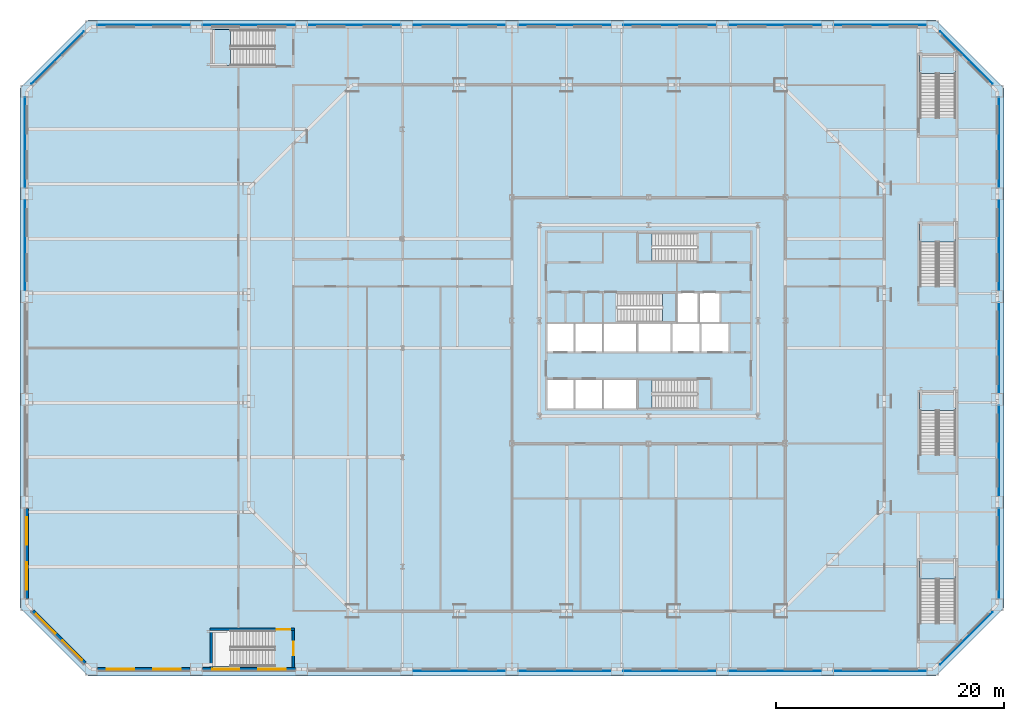
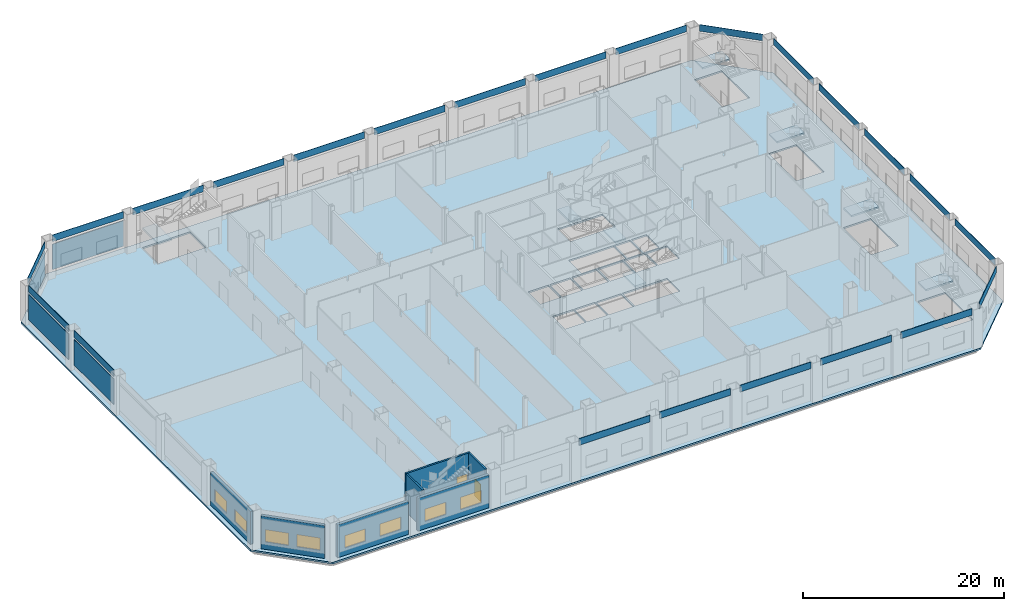
# One storey, part 11 of 25: 27 plates, 9 slabs, 8 windows, 7 walls, 2 doors, 10 openings, 8 elements without a shape of their own.
"""IFC4 building model written with IfcOpenShell, lengths in metres."""

from ifc_helpers import new_model, si_unit, direction, frame, frame_2d, origin, origin_2d, place, context, subcontext, project, spatial, polyline, rectangle, outline, extrude, material, layer, layer_set, type_object, element, fill, aggregate, save


model = new_model("IFC4")

# Units and contexts
model_context = context("Model", 3, precision=1e-05, world=origin(), true_north=direction((0.0, 1.0)))
body_context = subcontext(model_context, "Body", "Model", "MODEL_VIEW")
ifc_project = project(units=[si_unit("LENGTHUNIT", "METRE"), si_unit("AREAUNIT", "SQUARE_METRE"), si_unit("VOLUMEUNIT", "CUBIC_METRE"), si_unit("PLANEANGLEUNIT", "RADIAN"), si_unit("MASSUNIT", "GRAM", prefix="KILO")], contexts=[model_context])

# Site, building, storey
site_placement = place(None, origin())
site = spatial("IfcSite", under=ifc_project, at=site_placement, CompositionType="ELEMENT")
building_placement = place(site_placement, origin())
building = spatial("IfcBuilding", under=site, at=building_placement, Name="Cairn Pilgrim Tower", CompositionType="ELEMENT")
storey_placement = place(building_placement, frame((0.0, 0.0, 30.60009765625)))
storey = spatial("IfcBuildingStorey", under=building, at=storey_placement, Name="L05", CompositionType="ELEMENT", Elevation=30.60009765625)

# Plates
ifc_material_1 = material(Name="Bronze anodised aluminium", Category="aluminium")
ifc_layer_1 = layer(ifc_material_1, 0.050048828125)
ifc_layer_set_1 = layer_set([ifc_layer_1], Name="BRONZE FASCIA PANEL 50")
plate_type_1 = type_object("IfcPlateType", Name="BRONZE FASCIA PANEL 50", PredefinedType="SHEET", material=ifc_layer_set_1)
for number, where, z_axis, x_axis, name in (
    (1, (-9.4189453125, -28.375, 4.0), (0.0, 0.0, 1.0), (1.0, 0.0, 0.0), "FASCIA"),
    (2, (-0.18115234375, -28.375, 4.0), (0.0, 0.0, 1.0), (1.0, 0.0, 0.0), "FASCIA"),
    (3, (9.056884765625, -28.375, 4.0), (0.0, 0.0, 1.0), (1.0, 0.0, 0.0), "FASCIA"),
    (4, (18.294677734375, -28.375, 4.0), (0.0, 0.0, 1.0), (1.0, 0.0, 0.0), "FASCIA"),
    (5, (27.532470703125, -28.375, 4.0), (0.0, 0.0, 1.0), (1.0, 0.0, 0.0), "FASCIA"),
):
    element("IfcPlate", number, at=place(storey_placement, frame(where, z_axis=z_axis, x_axis=x_axis)), inside=storey, type_object=plate_type_1, Name=name, PredefinedType="SHEET", context=body_context, shape_type="SweptSolid", body=[
        extrude(rectangle(XDim=8.137939453125, YDim=0.050048828125, at=origin_2d()), origin(), (0.0, 0.0, 1.0), 0.800048828125),
    ])
plate_1_placement = place(storey_placement, frame((35.099609375, -25.49951171875, 4.0), z_axis=(0.0, 0.0, 1.0), x_axis=(0.707106781187, 0.707106781187, 0.0)))
element("IfcPlate", 6, at=plate_1_placement, inside=storey, type_object=plate_type_1, Name="FASCIA", PredefinedType="SHEET", context=body_context, shape_type="SweptSolid", body=[
    extrude(rectangle(XDim=6.50830078125, YDim=0.050048828125, at=origin_2d()), origin(), (0.0, 0.0, 1.0), 0.800048828125),
])
for number, where, z_axis, x_axis, name in (
    (7, (37.97509765625, -18.041259765625, 4.0), (0.0, 0.0, 1.0), (0.0, 1.0, 0.0), "FASCIA"),
    (8, (37.97509765625, -9.0205078125, 4.0), (0.0, 0.0, 1.0), (0.0, 1.0, 0.0), "FASCIA"),
    (9, (37.97509765625, 0.0, 4.0), (0.0, 0.0, 1.0), (0.0, 1.0, 0.0), "FASCIA"),
    (10, (37.97509765625, 9.0205078125, 4.0), (0.0, 0.0, 1.0), (0.0, 1.0, 0.0), "FASCIA"),
    (11, (37.97509765625, 18.041259765625, 4.0), (0.0, 0.0, 1.0), (0.0, 1.0, 0.0), "FASCIA"),
):
    element("IfcPlate", number, at=place(storey_placement, frame(where, z_axis=z_axis, x_axis=x_axis)), inside=storey, type_object=plate_type_1, Name=name, PredefinedType="SHEET", context=body_context, shape_type="SweptSolid", body=[
        extrude(rectangle(XDim=7.920654296875, YDim=0.050048828125, at=origin_2d()), origin(), (0.0, 0.0, 1.0), 0.800048828125),
    ])
plate_2_placement = place(storey_placement, frame((35.099609375, 25.49951171875, 4.0), z_axis=(0.0, 0.0, 1.0), x_axis=(-0.707106781187, 0.707106781187, 0.0)))
element("IfcPlate", 12, at=plate_2_placement, inside=storey, type_object=plate_type_1, Name="FASCIA", PredefinedType="SHEET", context=body_context, shape_type="SweptSolid", body=[
    extrude(rectangle(XDim=6.50830078125, YDim=0.050048828125, at=origin_2d()), origin(), (0.0, 0.0, 1.0), 0.800048828125),
])
for number, where, z_axis, x_axis, name in (
    (13, (27.532470703125, 28.375, 4.0), (0.0, 0.0, 1.0), (-1.0, 0.0, 0.0), "FASCIA"),
    (14, (18.294677734375, 28.375, 4.0), (0.0, 0.0, 1.0), (-1.0, 0.0, 0.0), "FASCIA"),
    (15, (9.056884765625, 28.375, 4.0), (0.0, 0.0, 1.0), (-1.0, 0.0, 0.0), "FASCIA"),
    (16, (-0.18115234375, 28.375, 4.0), (0.0, 0.0, 1.0), (-1.0, 0.0, 0.0), "FASCIA"),
    (17, (-9.4189453125, 28.375, 4.0), (0.0, 0.0, 1.0), (-1.0, 0.0, 0.0), "FASCIA"),
    (18, (-18.65673828125, 28.375, 4.0), (0.0, 0.0, 1.0), (-1.0, 0.0, 0.0), "FASCIA"),
    (19, (-27.894775390625, 28.375, 4.0), (0.0, 0.0, 1.0), (-1.0, 0.0, 0.0), "FASCIA"),
    (20, (-37.132568359375, 28.375, 4.0), (0.0, 0.0, 1.0), (-1.0, 0.0, 0.0), "FASCIA"),
):
    element("IfcPlate", number, at=place(storey_placement, frame(where, z_axis=z_axis, x_axis=x_axis)), inside=storey, type_object=plate_type_1, Name=name, PredefinedType="SHEET", context=body_context, shape_type="SweptSolid", body=[
        extrude(rectangle(XDim=8.137939453125, YDim=0.050048828125, at=origin_2d()), origin(), (0.0, 0.0, 1.0), 0.800048828125),
    ])
plate_3_placement = place(storey_placement, frame((-44.699462890625, 25.49951171875, 4.0), z_axis=(0.0, 0.0, 1.0), x_axis=(-0.707106781187, -0.707106781187, 0.0)))
element("IfcPlate", 21, at=plate_3_placement, inside=storey, type_object=plate_type_1, Name="FASCIA", PredefinedType="SHEET", context=body_context, shape_type="SweptSolid", body=[
    extrude(rectangle(XDim=6.50830078125, YDim=0.050048828125, at=origin_2d()), origin(), (0.0, 0.0, 1.0), 0.800048828125),
])
for number, where, z_axis, x_axis, name in (
    (22, (-47.574951171875, 18.041259765625, 4.0), (0.0, 0.0, 1.0), (0.0, -1.0, 0.0), "FASCIA"),
    (23, (-47.574951171875, 9.0205078125, 4.0), (0.0, 0.0, 1.0), (0.0, -1.0, 0.0), "FASCIA"),
):
    element("IfcPlate", number, at=place(storey_placement, frame(where, z_axis=z_axis, x_axis=x_axis)), inside=storey, type_object=plate_type_1, Name=name, PredefinedType="SHEET", context=body_context, shape_type="SweptSolid", body=[
        extrude(rectangle(XDim=7.920654296875, YDim=0.050048828125, at=origin_2d()), origin(), (0.0, 0.0, 1.0), 0.800048828125),
    ])
ifc_material_2 = material(Name="Perforated bronze anodised aluminium", Category="aluminium")
ifc_layer_2 = layer(ifc_material_2, 0.050048828125)
ifc_layer_set_2 = layer_set([ifc_layer_2], Name="COBOGO SCREEN 50 BRONZE")
plate_type_2 = type_object("IfcPlateType", Name="COBOGO SCREEN 50 BRONZE", PredefinedType="SHEET", material=ifc_layer_set_2)
plate_4_placement = place(storey_placement, frame((-37.132568359375, 28.375, 0.599853515625), z_axis=(0.0, 0.0, 1.0), x_axis=(-1.0, 0.0, 0.0)))
element("IfcPlate", 24, at=plate_4_placement, inside=storey, type_object=plate_type_2, Name="SCREEN", PredefinedType="SHEET", context=body_context, shape_type="SweptSolid", body=[
    extrude(rectangle(XDim=8.137939453125, YDim=0.050048828125, at=origin_2d()), origin(), (0.0, 0.0, 1.0), 3.10009765625),
])
plate_5_placement = place(storey_placement, frame((-44.699462890625, 25.49951171875, 0.599853515625), z_axis=(0.0, 0.0, 1.0), x_axis=(-0.707106781187, -0.707106781187, 0.0)))
element("IfcPlate", 25, at=plate_5_placement, inside=storey, type_object=plate_type_2, Name="SCREEN", PredefinedType="SHEET", context=body_context, shape_type="SweptSolid", body=[
    extrude(rectangle(XDim=6.50830078125, YDim=0.050048828125, at=origin_2d()), origin(), (0.0, 0.0, 1.0), 3.10009765625),
])
for number, where, z_axis, x_axis, name in (
    (26, (-47.574951171875, 18.041259765625, 0.599853515625), (0.0, 0.0, 1.0), (0.0, -1.0, 0.0), "SCREEN"),
    (27, (-47.574951171875, 9.0205078125, 0.599853515625), (0.0, 0.0, 1.0), (0.0, -1.0, 0.0), "SCREEN"),
):
    element("IfcPlate", number, at=place(storey_placement, frame(where, z_axis=z_axis, x_axis=x_axis)), inside=storey, type_object=plate_type_2, Name=name, PredefinedType="SHEET", context=body_context, shape_type="SweptSolid", body=[
        extrude(rectangle(XDim=7.920654296875, YDim=0.050048828125, at=origin_2d()), origin(), (0.0, 0.0, 1.0), 3.10009765625),
    ])

# Slab
ifc_material_3 = material(Name="Concrete C35/45", Category="concrete")
ifc_layer_3 = layer(ifc_material_3, 0.199951171875)
ifc_layer_set_3 = layer_set([ifc_layer_3], Name="PODIUM COMPOSITE SLAB 200")
slab_type_1 = type_object("IfcSlabType", Name="PODIUM COMPOSITE SLAB 200", PredefinedType="FLOOR", material=ifc_layer_set_3)
slab_1_placement = place(storey_placement, frame((0.0, 0.0, -0.2001953125)))
element("IfcSlab", 28, at=slab_1_placement, inside=storey, type_object=slab_type_1, Name="PODIUM FLOOR SLAB L05", PredefinedType="FLOOR", context=body_context, shape_type="SweptSolid", body=[
    extrude(outline(polyline([(-42.0, 28.800048828125), (-48.0, 22.800048828125), (-48.0, -22.800048828125), (-42.0, -28.800048828125), (32.39990234375, -28.800048828125), (38.39990234375, -22.800048828125), (38.39990234375, 22.800048828125), (32.39990234375, 28.800048828125), (-42.0, 28.800048828125)]), holes=[polyline([(-1.72509765625, -2.77490234375), (0.625, -2.77490234375), (0.625, -5.300048828125), (-1.72509765625, -5.300048828125), (-1.72509765625, -2.77490234375)]), polyline([(3.125, -2.77490234375), (3.125, -5.300048828125), (0.77490234375, -5.300048828125), (0.77490234375, -2.77490234375), (3.125, -2.77490234375)]), polyline([(0.625, -0.324951171875), (-1.72509765625, -0.324951171875), (-1.72509765625, 2.125), (0.625, 2.125), (0.625, -0.324951171875)]), polyline([(0.77490234375, -0.324951171875), (0.77490234375, 2.125), (3.125, 2.125), (3.125, -0.324951171875), (0.77490234375, -0.324951171875)]), polyline([(3.27490234375, -2.77490234375), (6.125, -2.77490234375), (6.125, -5.300048828125), (3.27490234375, -5.300048828125), (3.27490234375, -2.77490234375)]), polyline([(6.125, 2.125), (6.125, -0.324951171875), (3.27490234375, -0.324951171875), (3.27490234375, 2.125), (6.125, 2.125)]), polyline([(9.125, -0.324951171875), (6.27490234375, -0.324951171875), (6.27490234375, 2.125), (9.125, 2.125), (9.125, -0.324951171875)]), polyline([(9.27490234375, -0.324951171875), (9.27490234375, 2.125), (11.675048828125, 2.125), (11.675048828125, -0.324951171875), (9.27490234375, -0.324951171875)]), polyline([(11.824951171875, 2.125), (14.22509765625, 2.125), (14.22509765625, -0.324951171875), (11.824951171875, -0.324951171875), (11.824951171875, 2.125)]), polyline([(11.52490234375, 4.824951171875), (11.52490234375, 2.27490234375), (9.77490234375, 2.27490234375), (9.77490234375, 4.824951171875), (11.52490234375, 4.824951171875)]), polyline([(13.425048828125, 2.27490234375), (11.675048828125, 2.27490234375), (11.675048828125, 4.824951171875), (13.425048828125, 4.824951171875), (13.425048828125, 2.27490234375)]), polyline([(11.424560546875, -2.77490234375), (11.424560546875, -5.300048828125), (6.27490234375, -5.300048828125), (6.27490234375, -2.77490234375), (11.424560546875, -2.77490234375)]), polyline([(4.4755859375, 4.824951171875), (9.625, 4.824951171875), (9.625, 2.27490234375), (4.4755859375, 2.27490234375), (4.4755859375, 4.824951171875)]), polyline([(6.27490234375, 7.574951171875), (6.27490234375, 10.10009765625), (11.424560546875, 10.10009765625), (11.424560546875, 7.574951171875), (6.27490234375, 7.574951171875)]), polyline([(-31.10009765625, 27.949951171875), (-25.650390625, 27.949951171875), (-25.650390625, 24.800048828125), (-31.10009765625, 24.800048828125), (-31.10009765625, 27.949951171875)]), polyline([(-25.650390625, -24.800048828125), (-25.650390625, -27.949951171875), (-31.10009765625, -27.949951171875), (-31.10009765625, -24.800048828125), (-25.650390625, -24.800048828125)]), polyline([(31.0, -24.1494140625), (31.0, -18.699951171875), (34.14990234375, -18.699951171875), (34.14990234375, -24.1494140625), (31.0, -24.1494140625)]), polyline([(31.0, -3.89990234375), (34.14990234375, -3.89990234375), (34.14990234375, -9.349609375), (31.0, -9.349609375), (31.0, -3.89990234375)]), polyline([(34.14990234375, 10.89990234375), (34.14990234375, 5.450439453125), (31.0, 5.450439453125), (31.0, 10.89990234375), (34.14990234375, 10.89990234375)]), polyline([(34.14990234375, 20.25048828125), (31.0, 20.25048828125), (31.0, 25.699951171875), (34.14990234375, 25.699951171875), (34.14990234375, 20.25048828125)])]), origin(), (0.0, 0.0, 1.0), 0.2001953125),
])

# Stair, slab
stair_type_1 = type_object("IfcStairType", Name="PODIUM EXIT STAIR 1500", PredefinedType="HALF_TURN_STAIR", material=ifc_material_3)
stair_1_placement = place(storey_placement, origin())
stair_1 = element("IfcStair", 29, at=stair_1_placement, inside=storey, type_object=stair_type_1, Name="L05 Exit Stair Hn", PredefinedType="HALF_TURN_STAIR")
ifc_layer_4 = layer(ifc_material_3, 0.199951171875)
ifc_layer_set_4 = layer_set([ifc_layer_4], Name="PODIUM STAIR LANDING 200")
slab_type_2 = type_object("IfcSlabType", Name="PODIUM STAIR LANDING 200", PredefinedType="LANDING", material=ifc_layer_set_4)
slab_2_placement = place(storey_placement, frame((0.0, 0.0, 2.199951171875)))
slab_2 = element("IfcSlab", 30, at=slab_2_placement, type_object=slab_type_2, Name="ST-HN landing 1", PredefinedType="LANDING", context=body_context, shape_type="SweptSolid", body=[
    extrude(outline(polyline([(-29.52001953125, 27.949951171875), (-31.10009765625, 27.949951171875), (-31.10009765625, 24.800048828125), (-29.52001953125, 24.800048828125), (-29.52001953125, 27.949951171875)])), origin(), (0.0, 0.0, 1.0), 0.199951171875),
])
aggregate(stair_1, [slab_2])

stair_2_placement = place(storey_placement, origin())
stair_2 = element("IfcStair", 31, at=stair_2_placement, inside=storey, type_object=stair_type_1, Name="L05 Exit Stair Es1", PredefinedType="HALF_TURN_STAIR")
slab_3_placement = place(storey_placement, frame((0.0, 0.0, 2.199951171875)))
slab_3 = element("IfcSlab", 32, at=slab_3_placement, type_object=slab_type_2, Name="ST-ES1 landing 1", PredefinedType="LANDING", context=body_context, shape_type="SweptSolid", body=[
    extrude(outline(polyline([(34.14990234375, -20.280029296875), (34.14990234375, -18.699951171875), (31.0, -18.699951171875), (31.0, -20.280029296875), (34.14990234375, -20.280029296875)])), origin(), (0.0, 0.0, 1.0), 0.199951171875),
])
aggregate(stair_2, [slab_3])

stair_3_placement = place(storey_placement, origin())
stair_3 = element("IfcStair", 33, at=stair_3_placement, inside=storey, type_object=stair_type_1, Name="L05 Exit Stair Es2", PredefinedType="HALF_TURN_STAIR")
slab_4_placement = place(storey_placement, frame((0.0, 0.0, 2.199951171875)))
slab_4 = element("IfcSlab", 34, at=slab_4_placement, type_object=slab_type_2, Name="ST-ES2 landing 1", PredefinedType="LANDING", context=body_context, shape_type="SweptSolid", body=[
    extrude(outline(polyline([(34.14990234375, -5.47998046875), (34.14990234375, -3.89990234375), (31.0, -3.89990234375), (31.0, -5.47998046875), (34.14990234375, -5.47998046875)])), origin(), (0.0, 0.0, 1.0), 0.199951171875),
])
aggregate(stair_3, [slab_4])

stair_4_placement = place(storey_placement, origin())
stair_4 = element("IfcStair", 35, at=stair_4_placement, inside=storey, type_object=stair_type_1, Name="L05 Exit Stair Es3", PredefinedType="HALF_TURN_STAIR")
slab_5_placement = place(storey_placement, frame((0.0, 0.0, 2.199951171875)))
slab_5 = element("IfcSlab", 36, at=slab_5_placement, type_object=slab_type_2, Name="ST-ES3 landing 1", PredefinedType="LANDING", context=body_context, shape_type="SweptSolid", body=[
    extrude(outline(polyline([(34.14990234375, 9.320068359375), (34.14990234375, 10.89990234375), (31.0, 10.89990234375), (31.0, 9.320068359375), (34.14990234375, 9.320068359375)])), origin(), (0.0, 0.0, 1.0), 0.199951171875),
])
aggregate(stair_4, [slab_5])

stair_5_placement = place(storey_placement, origin())
stair_5 = element("IfcStair", 37, at=stair_5_placement, inside=storey, type_object=stair_type_1, Name="L05 Exit Stair Es4", PredefinedType="HALF_TURN_STAIR")
slab_6_placement = place(storey_placement, frame((0.0, 0.0, 2.199951171875)))
slab_6 = element("IfcSlab", 38, at=slab_6_placement, type_object=slab_type_2, Name="ST-ES4 landing 1", PredefinedType="LANDING", context=body_context, shape_type="SweptSolid", body=[
    extrude(outline(polyline([(34.14990234375, 24.1201171875), (34.14990234375, 25.699951171875), (31.0, 25.699951171875), (31.0, 24.1201171875), (34.14990234375, 24.1201171875)])), origin(), (0.0, 0.0, 1.0), 0.199951171875),
])
aggregate(stair_5, [slab_6])

ifc_material_4 = material(Name="Concrete C32/40", Category="concrete")
stair_type_2 = type_object("IfcStairType", Name="EXIT STAIR 1200", PredefinedType="HALF_TURN_STAIR", material=ifc_material_4)
stair_6_placement = place(storey_placement, origin())
stair_6 = element("IfcStair", 39, at=stair_6_placement, inside=storey, type_object=stair_type_2, Name="L05 Exit Stair A", PredefinedType="HALF_TURN_STAIR")
ifc_layer_5 = layer(ifc_material_4, 0.199951171875)
ifc_layer_set_5 = layer_set([ifc_layer_5], Name="STAIR LANDING 200")
slab_type_3 = type_object("IfcSlabType", Name="STAIR LANDING 200", PredefinedType="LANDING", material=ifc_layer_set_5)
slab_7_placement = place(storey_placement, frame((0.0, 0.0, 2.199951171875)))
slab_7 = element("IfcSlab", 40, at=slab_7_placement, type_object=slab_type_3, Name="ST-A landing 1", PredefinedType="LANDING", context=body_context, shape_type="SweptSolid", body=[
    extrude(outline(polyline([(7.5048828125, -2.77490234375), (6.27490234375, -2.77490234375), (6.27490234375, -5.300048828125), (7.5048828125, -5.300048828125), (7.5048828125, -2.77490234375)])), origin(), (0.0, 0.0, 1.0), 0.199951171875),
])
aggregate(stair_6, [slab_7])

stair_7_placement = place(storey_placement, origin())
stair_7 = element("IfcStair", 41, at=stair_7_placement, inside=storey, type_object=stair_type_2, Name="L05 Exit Stair B", PredefinedType="HALF_TURN_STAIR")
slab_8_placement = place(storey_placement, frame((0.0, 0.0, 2.199951171875)))
slab_8 = element("IfcSlab", 42, at=slab_8_placement, type_object=slab_type_3, Name="ST-B landing 1", PredefinedType="LANDING", context=body_context, shape_type="SweptSolid", body=[
    extrude(outline(polyline([(8.39501953125, 2.27490234375), (9.625, 2.27490234375), (9.625, 4.824951171875), (8.39501953125, 4.824951171875), (8.39501953125, 2.27490234375)])), origin(), (0.0, 0.0, 1.0), 0.199951171875),
])
aggregate(stair_7, [slab_8])

stair_8_placement = place(storey_placement, origin())
stair_8 = element("IfcStair", 43, at=stair_8_placement, inside=storey, type_object=stair_type_2, Name="L05 Exit Stair C", PredefinedType="HALF_TURN_STAIR")
slab_9_placement = place(storey_placement, frame((0.0, 0.0, 2.199951171875)))
slab_9 = element("IfcSlab", 44, at=slab_9_placement, type_object=slab_type_3, Name="ST-C landing 1", PredefinedType="LANDING", context=body_context, shape_type="SweptSolid", body=[
    extrude(outline(polyline([(7.5048828125, 10.10009765625), (6.27490234375, 10.10009765625), (6.27490234375, 7.574951171875), (7.5048828125, 7.574951171875), (7.5048828125, 10.10009765625)])), origin(), (0.0, 0.0, 1.0), 0.199951171875),
])
aggregate(stair_8, [slab_9])

# Wall
ifc_layer_6 = layer(ifc_material_3, 0.199951171875)
ifc_layer_set_6 = layer_set([ifc_layer_6], Name="PODIUM STAIR WALL 200 EI 120")
wall_type_1 = type_object("IfcWallType", Name="PODIUM STAIR WALL 200 EI 120", PredefinedType="SOLIDWALL", material=ifc_layer_set_6)
wall_1_placement = place(storey_placement, frame((-31.199951171875, -28.050048828125, 0.0), z_axis=(0.0, 0.0, 1.0), x_axis=(0.0, 1.0, 0.0)))
element("IfcWall", 45, at=wall_1_placement, inside=storey, type_object=wall_type_1, Name="STAIR SHAFT WALL W001", PredefinedType="SOLIDWALL", context=body_context, shape_type="SweptSolid", body=[
    extrude(rectangle(XDim=3.25, YDim=0.199951171875, at=frame_2d((1.625, 0.0))), origin(), (0.0, 0.0, 1.0), 4.599853515625),
])

# Wall, opening, door
wall_2_placement = place(storey_placement, frame((-24.0, -28.050048828125, 0.0), z_axis=(0.0, 0.0, 1.0), x_axis=(0.0, 1.0, 0.0)))
wall_2 = element("IfcWall", 46, at=wall_2_placement, inside=storey, type_object=wall_type_1, Name="STAIR SHAFT WALL W002", PredefinedType="SOLIDWALL", context=body_context, shape_type="SweptSolid", body=[
    extrude(rectangle(XDim=3.25, YDim=0.199951171875, at=frame_2d((1.625, 0.0))), origin(), (0.0, 0.0, 1.0), 4.599853515625),
])
opening_1_placement = place(wall_2_placement, frame((1.050048828125, 0.0, 0.0)))
opening_1 = element("IfcOpeningElement", 47, at=opening_1_placement, cuts=wall_2, Name="Opening 0523", PredefinedType="OPENING", context=body_context, shape_type="SweptSolid", body=[
    extrude(rectangle(XDim=1.199951171875, YDim=2.10009765625, at=frame_2d((0.60009765625, 1.050048828125))), frame((0.0, 0.10986328125, 0.0), z_axis=(0.0, -1.0, 0.0), x_axis=(1.0, 0.0, 0.0)), (0.0, 0.0, 1.0), 0.219970703125),
])
ifc_material_5 = material(Name="Steel-faced fire door leaf", Category="steel")
door_type = type_object("IfcDoorType", Name="FIRE DOOR 1200x2100 FD60S", OperationType="NOTDEFINED", PredefinedType="DOOR", material=ifc_material_5)
door_1_placement = place(opening_1_placement, origin())
door_1 = element("IfcDoor", 48, at=door_1_placement, inside=storey, type_object=door_type, Name="DOOR 0523", OperationType="SINGLE_SWING_LEFT", OverallHeight=2.10009765625, OverallWidth=1.199951171875, PredefinedType="DOOR", context=body_context, shape_type="SweptSolid", body=[
    extrude(rectangle(XDim=1.199951171875, YDim=2.10009765625, at=frame_2d((0.60009765625, 1.050048828125))), frame((0.0, 0.02490234375, 0.0), z_axis=(0.0, -1.0, 0.0), x_axis=(1.0, 0.0, 0.0)), (0.0, 0.0, 1.0), 0.050048828125),
])
fill(opening_1, door_1)

wall_3_placement = place(storey_placement, frame((-31.300048828125, -24.699951171875, 0.0), z_axis=(0.0, 0.0, 1.0), x_axis=(1.0, 0.0, 0.0)))
wall_3 = element("IfcWall", 49, at=wall_3_placement, inside=storey, type_object=wall_type_1, Name="STAIR SHAFT WALL W006", PredefinedType="SOLIDWALL", context=body_context, shape_type="SweptSolid", body=[
    extrude(rectangle(XDim=7.400146484375, YDim=0.199951171875, at=frame_2d((3.7001953125, 0.0))), origin(), (0.0, 0.0, 1.0), 4.599853515625),
])
opening_2_placement = place(wall_3_placement, frame((5.85009765625, 0.0, 0.0)))
opening_2 = element("IfcOpeningElement", 50, at=opening_2_placement, cuts=wall_3, Name="Opening 0522", PredefinedType="OPENING", context=body_context, shape_type="SweptSolid", body=[
    extrude(rectangle(XDim=1.199951171875, YDim=2.10009765625, at=frame_2d((0.60009765625, 1.050048828125))), frame((0.0, 0.10986328125, 0.0), z_axis=(0.0, -1.0, 0.0), x_axis=(1.0, 0.0, 0.0)), (0.0, 0.0, 1.0), 0.219970703125),
])
door_2_placement = place(opening_2_placement, frame((1.199951171875, 0.0, 0.0), z_axis=(0.0, 0.0, 1.0), x_axis=(-1.0, 0.0, 0.0)))
door_2 = element("IfcDoor", 51, at=door_2_placement, inside=storey, type_object=door_type, Name="DOOR 0522", OperationType="SINGLE_SWING_RIGHT", OverallHeight=2.10009765625, OverallWidth=1.199951171875, PredefinedType="DOOR", context=body_context, shape_type="SweptSolid", body=[
    extrude(rectangle(XDim=1.199951171875, YDim=2.10009765625, at=frame_2d((0.60009765625, 1.050048828125))), frame((0.0, 0.02490234375, 0.0), z_axis=(0.0, -1.0, 0.0), x_axis=(1.0, 0.0, 0.0)), (0.0, 0.0, 1.0), 0.050048828125),
])
fill(opening_2, door_2)

# Wall, openings, windows
ifc_material_6 = material(Name="Concrete C35/45 backup wall with bronze aluminium cladding", Category="concrete")
ifc_layer_7 = layer(ifc_material_6, 0.300048828125)
ifc_layer_set_7 = layer_set([ifc_layer_7], Name="PODIUM WALL 300 BRONZE-CLAD")
wall_type_2 = type_object("IfcWallType", Name="PODIUM WALL 300 BRONZE-CLAD", PredefinedType="SOLIDWALL", material=ifc_layer_set_7)
wall_4_placement = place(storey_placement, frame((-41.201416015625, -28.199951171875, 0.0), z_axis=(0.0, 0.0, 1.0), x_axis=(1.0, 0.0, 0.0)))
wall_4 = element("IfcWall", 52, at=wall_4_placement, inside=storey, type_object=wall_type_2, Name="PODIUM EXTERNAL WALL S1-S2", PredefinedType="SOLIDWALL", context=body_context, shape_type="SweptSolid", body=[
    extrude(rectangle(XDim=8.1376953125, YDim=0.300048828125, at=frame_2d((4.06884765625, 0.0))), origin(), (0.0, 0.0, 1.0), 4.0),
])
opening_3_placement = place(wall_4_placement, frame((0.83447265625, 0.0, 0.89990234375)))
opening_3 = element("IfcOpeningElement", 53, at=opening_3_placement, cuts=wall_4, Name="Opening PW15", PredefinedType="OPENING", context=body_context, shape_type="SweptSolid", body=[
    extrude(rectangle(XDim=2.39990234375, YDim=1.5, at=frame_2d((1.199951171875, 0.75))), frame((0.0, 0.16015625, 0.0), z_axis=(0.0, -1.0, 0.0), x_axis=(1.0, 0.0, 0.0)), (0.0, 0.0, 1.0), 0.320068359375),
])
opening_4_placement = place(wall_4_placement, frame((4.9033203125, 0.0, 0.89990234375)))
opening_4 = element("IfcOpeningElement", 54, at=opening_4_placement, cuts=wall_4, Name="Opening PW15", PredefinedType="OPENING", context=body_context, shape_type="SweptSolid", body=[
    extrude(rectangle(XDim=2.39990234375, YDim=1.5, at=frame_2d((1.199951171875, 0.75))), frame((0.0, 0.16015625, 0.0), z_axis=(0.0, -1.0, 0.0), x_axis=(1.0, 0.0, 0.0)), (0.0, 0.0, 1.0), 0.320068359375),
])
ifc_material_7 = material(Name="Bronze anodised aluminium frame with tinted low-E glass", Category="aluminium")
window_type = type_object("IfcWindowType", Name="PODIUM FIXED WINDOW 2400x1500", PartitioningType="SINGLE_PANEL", PredefinedType="WINDOW", material=ifc_material_7)
window_1_placement = place(opening_3_placement, origin())
window_1 = element("IfcWindow", 55, at=window_1_placement, inside=storey, type_object=window_type, Name="PODIUM WINDOW", OverallHeight=1.5, OverallWidth=2.39990234375, PartitioningType="SINGLE_PANEL", PredefinedType="WINDOW", context=body_context, shape_type="SweptSolid", body=[
    extrude(rectangle(XDim=2.39990234375, YDim=1.5, at=frame_2d((1.199951171875, 0.75))), frame((0.0, 0.030029296875, 0.0), z_axis=(0.0, -1.0, 0.0), x_axis=(1.0, 0.0, 0.0)), (0.0, 0.0, 1.0), 0.06005859375),
])
fill(opening_3, window_1)
window_2_placement = place(opening_4_placement, origin())
window_2 = element("IfcWindow", 56, at=window_2_placement, inside=storey, type_object=window_type, Name="PODIUM WINDOW", OverallHeight=1.5, OverallWidth=2.39990234375, PartitioningType="SINGLE_PANEL", PredefinedType="WINDOW", context=body_context, shape_type="SweptSolid", body=[
    extrude(rectangle(XDim=2.39990234375, YDim=1.5, at=frame_2d((1.199951171875, 0.75))), frame((0.0, 0.030029296875, 0.0), z_axis=(0.0, -1.0, 0.0), x_axis=(1.0, 0.0, 0.0)), (0.0, 0.0, 1.0), 0.06005859375),
])
fill(opening_4, window_2)

wall_5_placement = place(storey_placement, frame((-31.963623046875, -28.199951171875, 0.0), z_axis=(0.0, 0.0, 1.0), x_axis=(1.0, 0.0, 0.0)))
wall_5 = element("IfcWall", 57, at=wall_5_placement, inside=storey, type_object=wall_type_2, Name="PODIUM EXTERNAL WALL S2-S3", PredefinedType="SOLIDWALL", context=body_context, shape_type="SweptSolid", body=[
    extrude(rectangle(XDim=8.137939453125, YDim=0.300048828125, at=frame_2d((4.06884765625, 0.0))), origin(), (0.0, 0.0, 1.0), 4.0),
])
opening_5_placement = place(wall_5_placement, frame((0.83447265625, 0.0, 0.89990234375)))
opening_5 = element("IfcOpeningElement", 58, at=opening_5_placement, cuts=wall_5, Name="Opening PW15", PredefinedType="OPENING", context=body_context, shape_type="SweptSolid", body=[
    extrude(rectangle(XDim=2.39990234375, YDim=1.5, at=frame_2d((1.199951171875, 0.75))), frame((0.0, 0.16015625, 0.0), z_axis=(0.0, -1.0, 0.0), x_axis=(1.0, 0.0, 0.0)), (0.0, 0.0, 1.0), 0.320068359375),
])
opening_6_placement = place(wall_5_placement, frame((4.9033203125, 0.0, 0.89990234375)))
opening_6 = element("IfcOpeningElement", 59, at=opening_6_placement, cuts=wall_5, Name="Opening PW15", PredefinedType="OPENING", context=body_context, shape_type="SweptSolid", body=[
    extrude(rectangle(XDim=2.39990234375, YDim=1.5, at=frame_2d((1.199951171875, 0.75))), frame((0.0, 0.16015625, 0.0), z_axis=(0.0, -1.0, 0.0), x_axis=(1.0, 0.0, 0.0)), (0.0, 0.0, 1.0), 0.320068359375),
])
window_3_placement = place(opening_5_placement, origin())
window_3 = element("IfcWindow", 60, at=window_3_placement, inside=storey, type_object=window_type, Name="PODIUM WINDOW", OverallHeight=1.5, OverallWidth=2.39990234375, PartitioningType="SINGLE_PANEL", PredefinedType="WINDOW", context=body_context, shape_type="SweptSolid", body=[
    extrude(rectangle(XDim=2.39990234375, YDim=1.5, at=frame_2d((1.199951171875, 0.75))), frame((0.0, 0.030029296875, 0.0), z_axis=(0.0, -1.0, 0.0), x_axis=(1.0, 0.0, 0.0)), (0.0, 0.0, 1.0), 0.06005859375),
])
fill(opening_5, window_3)
window_4_placement = place(opening_6_placement, origin())
window_4 = element("IfcWindow", 61, at=window_4_placement, inside=storey, type_object=window_type, Name="PODIUM WINDOW", OverallHeight=1.5, OverallWidth=2.39990234375, PartitioningType="SINGLE_PANEL", PredefinedType="WINDOW", context=body_context, shape_type="SweptSolid", body=[
    extrude(rectangle(XDim=2.39990234375, YDim=1.5, at=frame_2d((1.199951171875, 0.75))), frame((0.0, 0.030029296875, 0.0), z_axis=(0.0, -1.0, 0.0), x_axis=(1.0, 0.0, 0.0)), (0.0, 0.0, 1.0), 0.06005859375),
])
fill(opening_6, window_4)

wall_6_placement = place(storey_placement, frame((-47.39990234375, -14.080810546875, 0.0), z_axis=(0.0, 0.0, 1.0), x_axis=(0.0, -1.0, 0.0)))
wall_6 = element("IfcWall", 62, at=wall_6_placement, inside=storey, type_object=wall_type_2, Name="PODIUM EXTERNAL WALL W5-SW1", PredefinedType="SOLIDWALL", context=body_context, shape_type="SweptSolid", body=[
    extrude(rectangle(XDim=7.920654296875, YDim=0.300048828125, at=frame_2d((3.96044921875, 0.0))), origin(), (0.0, 0.0, 1.0), 4.0),
])
opening_7_placement = place(wall_6_placement, frame((0.780029296875, 0.0, 0.89990234375)))
opening_7 = element("IfcOpeningElement", 63, at=opening_7_placement, cuts=wall_6, Name="Opening PW15", PredefinedType="OPENING", context=body_context, shape_type="SweptSolid", body=[
    extrude(rectangle(XDim=2.39990234375, YDim=1.5, at=frame_2d((1.199951171875, 0.75))), frame((0.0, 0.16015625, 0.0), z_axis=(0.0, -1.0, 0.0), x_axis=(1.0, 0.0, 0.0)), (0.0, 0.0, 1.0), 0.320068359375),
])
opening_8_placement = place(wall_6_placement, frame((4.740478515625, 0.0, 0.89990234375)))
opening_8 = element("IfcOpeningElement", 64, at=opening_8_placement, cuts=wall_6, Name="Opening PW15", PredefinedType="OPENING", context=body_context, shape_type="SweptSolid", body=[
    extrude(rectangle(XDim=2.39990234375, YDim=1.5, at=frame_2d((1.199951171875, 0.75))), frame((0.0, 0.16015625, 0.0), z_axis=(0.0, -1.0, 0.0), x_axis=(1.0, 0.0, 0.0)), (0.0, 0.0, 1.0), 0.320068359375),
])
window_5_placement = place(opening_7_placement, origin())
window_5 = element("IfcWindow", 65, at=window_5_placement, inside=storey, type_object=window_type, Name="PODIUM WINDOW", OverallHeight=1.5, OverallWidth=2.39990234375, PartitioningType="SINGLE_PANEL", PredefinedType="WINDOW", context=body_context, shape_type="SweptSolid", body=[
    extrude(rectangle(XDim=2.39990234375, YDim=1.5, at=frame_2d((1.199951171875, 0.75))), frame((0.0, 0.030029296875, 0.0), z_axis=(0.0, -1.0, 0.0), x_axis=(1.0, 0.0, 0.0)), (0.0, 0.0, 1.0), 0.06005859375),
])
fill(opening_7, window_5)
window_6_placement = place(opening_8_placement, origin())
window_6 = element("IfcWindow", 66, at=window_6_placement, inside=storey, type_object=window_type, Name="PODIUM WINDOW", OverallHeight=1.5, OverallWidth=2.39990234375, PartitioningType="SINGLE_PANEL", PredefinedType="WINDOW", context=body_context, shape_type="SweptSolid", body=[
    extrude(rectangle(XDim=2.39990234375, YDim=1.5, at=frame_2d((1.199951171875, 0.75))), frame((0.0, 0.030029296875, 0.0), z_axis=(0.0, -1.0, 0.0), x_axis=(1.0, 0.0, 0.0)), (0.0, 0.0, 1.0), 0.06005859375),
])
fill(opening_8, window_6)

wall_7_placement = place(storey_placement, frame((-46.876708984375, -23.07470703125, 0.0), z_axis=(0.0, 0.0, 1.0), x_axis=(0.707106781187, -0.707106781187, 0.0)))
wall_7 = element("IfcWall", 67, at=wall_7_placement, inside=storey, type_object=wall_type_2, Name="PODIUM EXTERNAL WALL SW1-S1", PredefinedType="SOLIDWALL", context=body_context, shape_type="SweptSolid", body=[
    extrude(rectangle(XDim=6.50830078125, YDim=0.300048828125, at=frame_2d((3.254150390625, 0.0))), origin(), (0.0, 0.0, 1.0), 4.0),
])
opening_9_placement = place(wall_7_placement, frame((0.427001953125, 0.0, 0.89990234375)))
opening_9 = element("IfcOpeningElement", 68, at=opening_9_placement, cuts=wall_7, Name="Opening PW15", PredefinedType="OPENING", context=body_context, shape_type="SweptSolid", body=[
    extrude(rectangle(XDim=2.39990234375, YDim=1.5, at=frame_2d((1.199951171875, 0.75))), frame((0.0, 0.16015625, 0.0), z_axis=(0.0, -1.0, 0.0), x_axis=(1.0, 0.0, 0.0)), (0.0, 0.0, 1.0), 0.320068359375),
])
opening_10_placement = place(wall_7_placement, frame((3.68115234375, 0.0, 0.89990234375)))
opening_10 = element("IfcOpeningElement", 69, at=opening_10_placement, cuts=wall_7, Name="Opening PW15", PredefinedType="OPENING", context=body_context, shape_type="SweptSolid", body=[
    extrude(rectangle(XDim=2.39990234375, YDim=1.5, at=frame_2d((1.199951171875, 0.75))), frame((0.0, 0.16015625, 0.0), z_axis=(0.0, -1.0, 0.0), x_axis=(1.0, 0.0, 0.0)), (0.0, 0.0, 1.0), 0.320068359375),
])
window_7_placement = place(opening_9_placement, origin())
window_7 = element("IfcWindow", 70, at=window_7_placement, inside=storey, type_object=window_type, Name="PODIUM WINDOW", OverallHeight=1.5, OverallWidth=2.39990234375, PartitioningType="SINGLE_PANEL", PredefinedType="WINDOW", context=body_context, shape_type="SweptSolid", body=[
    extrude(rectangle(XDim=2.39990234375, YDim=1.5, at=frame_2d((1.199951171875, 0.75))), frame((0.0, 0.030029296875, 0.0), z_axis=(0.0, -1.0, 0.0), x_axis=(1.0, 0.0, 0.0)), (0.0, 0.0, 1.0), 0.06005859375),
])
fill(opening_9, window_7)
window_8_placement = place(opening_10_placement, origin())
window_8 = element("IfcWindow", 71, at=window_8_placement, inside=storey, type_object=window_type, Name="PODIUM WINDOW", OverallHeight=1.5, OverallWidth=2.39990234375, PartitioningType="SINGLE_PANEL", PredefinedType="WINDOW", context=body_context, shape_type="SweptSolid", body=[
    extrude(rectangle(XDim=2.39990234375, YDim=1.5, at=frame_2d((1.199951171875, 0.75))), frame((0.0, 0.030029296875, 0.0), z_axis=(0.0, -1.0, 0.0), x_axis=(1.0, 0.0, 0.0)), (0.0, 0.0, 1.0), 0.06005859375),
])
fill(opening_10, window_8)

save(model, "model.ifc")
